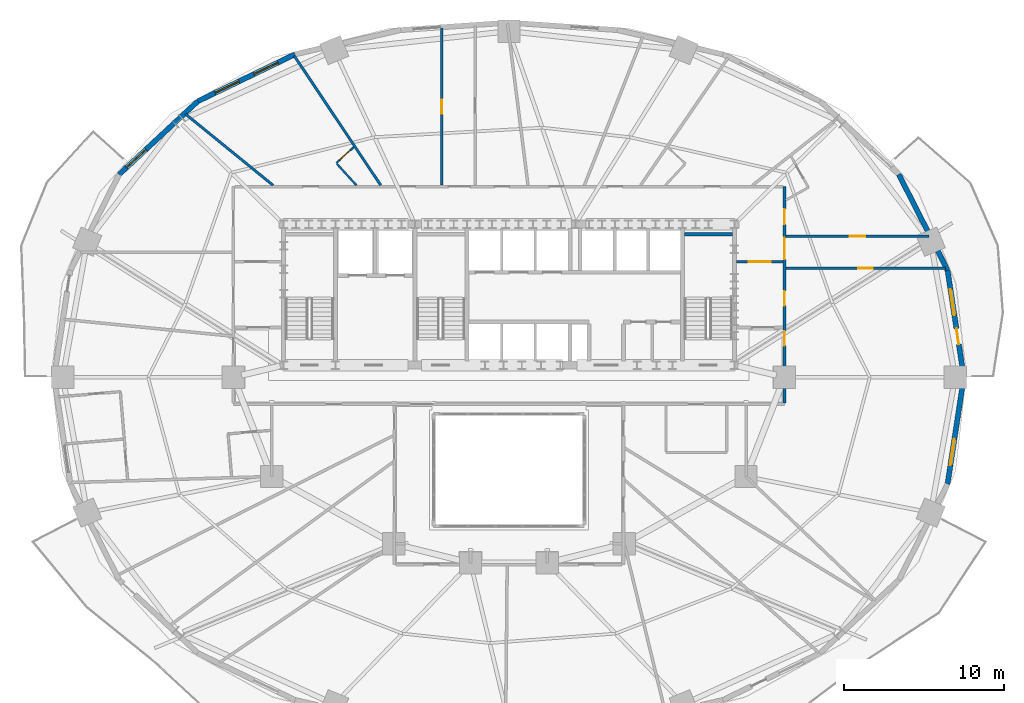
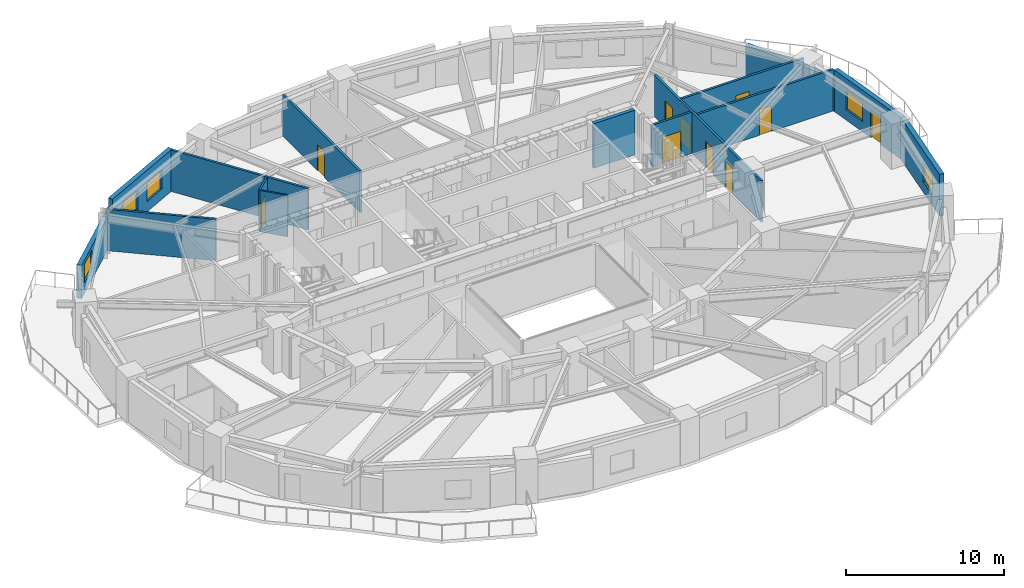
# One storey, part 10 of 15: 15 walls, 10 doors, 5 windows, 15 openings.
"""IFC4 building model written with IfcOpenShell, lengths in metres."""

from ifc_helpers import new_model, si_unit, direction, frame, frame_2d, origin, place, context, subcontext, project, spatial, rectangle, extrude, material, layer, layer_set, type_object, element, fill, save


model = new_model("IFC4")

# Units and contexts
model_context = context("Model", 3, precision=1e-05, world=origin(), true_north=direction((0.0, 1.0)))
body_context = subcontext(model_context, "Body", "Model", "MODEL_VIEW")
ifc_project = project(units=[si_unit("LENGTHUNIT", "METRE"), si_unit("AREAUNIT", "SQUARE_METRE"), si_unit("VOLUMEUNIT", "CUBIC_METRE"), si_unit("PLANEANGLEUNIT", "RADIAN"), si_unit("MASSUNIT", "GRAM", prefix="KILO")], contexts=[model_context])

# Site, building, storey
site_placement = place(None, origin())
site = spatial("IfcSite", under=ifc_project, at=site_placement, CompositionType="ELEMENT")
building_placement = place(site_placement, origin())
building = spatial("IfcBuilding", under=site, at=building_placement, Name="Haldorwick Loom Tower", CompositionType="ELEMENT")
storey_placement = place(building_placement, frame((0.0, 0.0, 92.14990234375)))
storey = spatial("IfcBuildingStorey", under=building, at=storey_placement, Name="L24", CompositionType="ELEMENT", Elevation=92.14990234375)

# Wall, openings, door, window
ifc_material_1 = material(Name="Pressed Clay Face Brick and Insulated Masonry Backup Assembly", Category="masonry")
ifc_layer_1 = layer(ifc_material_1, 0.320068359375, Name="Pressed Clay Face Brick and Insulated Masonry Backup Assembly", Category="masonry")
ifc_layer_set_1 = layer_set([ifc_layer_1], Name="Pressed Clay Face Brick and Insulated Masonry Backup Assembly")
wall_type_1 = type_object("IfcWallType", Name="ARC-WL-EXT320", PredefinedType="STANDARD", material=ifc_layer_set_1)
wall_1_placement = place(storey_placement, frame((64.397705078125, 26.0, 0.0), z_axis=(0.0, 0.0, 1.0), x_axis=(-0.150633288003, 0.988589708901, 0.0)))
wall_1 = element("IfcWall", 1, at=wall_1_placement, inside=storey, type_object=wall_type_1, Name="L24 Brick Pier and Spandrel Wall 1", PredefinedType="STANDARD", context=body_context, shape_type="SweptSolid", body=[
    extrude(rectangle(XDim=6.752197265625, YDim=0.320068359375, at=frame_2d((3.3759765625, 0.0))), origin(), (0.0, 0.0, 1.0), 3.210205078125),
])
opening_1_placement = place(wall_1_placement, frame((2.070556640625, 0.0, 0.0)))
opening_1 = element("IfcOpeningElement", 2, at=opening_1_placement, cuts=wall_1, Name="Opening D-BL10", PredefinedType="OPENING", context=body_context, shape_type="SweptSolid", body=[
    extrude(rectangle(XDim=1.0, YDim=2.0400390625, at=frame_2d((0.5, 1.02001953125))), frame((0.0, 0.169921875, 0.0), z_axis=(0.0, -1.0, 0.0), x_axis=(1.0, 0.0, 0.0)), (0.0, 0.0, 1.0), 0.340087890625),
])
opening_2_placement = place(wall_1_placement, frame((3.9013671875, 0.0, 0.800048828125)))
opening_2 = element("IfcOpeningElement", 3, at=opening_2_placement, cuts=wall_1, Name="Opening W-01B", PredefinedType="OPENING", context=body_context, shape_type="SweptSolid", body=[
    extrude(rectangle(XDim=1.64990234375, YDim=1.449951171875, at=frame_2d((0.824951171875, 0.72509765625))), frame((0.0, 0.169921875, 0.0), z_axis=(0.0, -1.0, 0.0), x_axis=(1.0, 0.0, 0.0)), (0.0, 0.0, 1.0), 0.340087890625),
])
ifc_material_2 = material(Name="Thermally Broken Anodized Aluminium Curtain Wall Framing", Category="aluminium")
door_type_1 = type_object("IfcDoorType", Name="ARC-DR-BAL100", OperationType="NOTDEFINED", PredefinedType="DOOR", material=ifc_material_2)
door_1_placement = place(opening_1_placement, origin())
door_1 = element("IfcDoor", 4, at=door_1_placement, inside=storey, type_object=door_type_1, Name="L24 Outdoor Terrace Door SLB-L24-BAL_ENE", OperationType="SINGLE_SWING_RIGHT", OverallHeight=2.0400390625, OverallWidth=1.0, PredefinedType="DOOR", context=body_context, shape_type="SweptSolid", body=[
    extrude(rectangle(XDim=1.0, YDim=2.0400390625, at=frame_2d((0.5, 1.02001953125))), frame((0.0, 0.02490234375, 0.0), z_axis=(0.0, -1.0, 0.0), x_axis=(1.0, 0.0, 0.0)), (0.0, 0.0, 1.0), 0.050048828125),
])
fill(opening_1, door_1)
ifc_material_3 = material(Name="Triple-Glazed Low-E Argon Insulated Glazing Unit", Category="glass")
window_type = type_object("IfcWindowType", Name="ARC-WIN-W165", PartitioningType="SINGLE_PANEL", PredefinedType="WINDOW", material=ifc_material_3)
window_1_placement = place(opening_2_placement, origin())
window_1 = element("IfcWindow", 5, at=window_1_placement, inside=storey, type_object=window_type, Name="L24 Deep-Set Zone 7A Window 1", OverallHeight=1.449951171875, OverallWidth=1.64990234375, PartitioningType="SINGLE_PANEL", PredefinedType="WINDOW", context=body_context, shape_type="SweptSolid", body=[
    extrude(rectangle(XDim=1.64990234375, YDim=1.449951171875, at=frame_2d((0.824951171875, 0.72509765625))), frame((0.0, 0.030029296875, 0.0), z_axis=(0.0, -1.0, 0.0), x_axis=(1.0, 0.0, 0.0)), (0.0, 0.0, 1.0), 0.06005859375),
])
fill(opening_2, window_1)

# Wall
wall_2_placement = place(storey_placement, frame((63.380615234375, 32.675048828125, 0.0), z_axis=(0.0, 0.0, 1.0), x_axis=(-0.453374078001, 0.89132033826, 0.0)))
element("IfcWall", 6, at=wall_2_placement, inside=storey, type_object=wall_type_1, Name="L24 Brick Pier and Spandrel Wall 2", PredefinedType="STANDARD", context=body_context, shape_type="SweptSolid", body=[
    extrude(rectangle(XDim=6.709716796875, YDim=0.320068359375, at=frame_2d((3.35498046875, 0.0))), origin(), (0.0, 0.0, 1.0), 2.569091796875),
])

# Wall, openings, windows
wall_3_placement = place(storey_placement, frame((22.647216796875, 46.158447265625, 0.0), z_axis=(0.0, 0.0, 1.0), x_axis=(-0.900510094661, -0.434835106004, 0.0)))
wall_3 = element("IfcWall", 7, at=wall_3_placement, inside=storey, type_object=wall_type_1, Name="L24 Brick Pier and Spandrel Wall 9", PredefinedType="STANDARD", context=body_context, shape_type="SweptSolid", body=[
    extrude(rectangle(XDim=6.744873046875, YDim=0.320068359375, at=frame_2d((3.37255859375, 0.0))), origin(), (0.0, 0.0, 1.0), 3.210205078125),
])
opening_3_placement = place(wall_3_placement, frame((1.198486328125, 0.0, 0.800048828125)))
opening_3 = element("IfcOpeningElement", 8, at=opening_3_placement, cuts=wall_3, Name="Opening W-01B", PredefinedType="OPENING", context=body_context, shape_type="SweptSolid", body=[
    extrude(rectangle(XDim=1.64990234375, YDim=1.449951171875, at=frame_2d((0.824951171875, 0.72509765625))), frame((0.0, 0.169921875, 0.0), z_axis=(0.0, -1.0, 0.0), x_axis=(1.0, 0.0, 0.0)), (0.0, 0.0, 1.0), 0.340087890625),
])
opening_4_placement = place(wall_3_placement, frame((3.896484375, 0.0, 0.800048828125)))
opening_4 = element("IfcOpeningElement", 9, at=opening_4_placement, cuts=wall_3, Name="Opening W-01B", PredefinedType="OPENING", context=body_context, shape_type="SweptSolid", body=[
    extrude(rectangle(XDim=1.64990234375, YDim=1.449951171875, at=frame_2d((0.824951171875, 0.72509765625))), frame((0.0, 0.169921875, 0.0), z_axis=(0.0, -1.0, 0.0), x_axis=(1.0, 0.0, 0.0)), (0.0, 0.0, 1.0), 0.340087890625),
])
window_2_placement = place(opening_3_placement, origin())
window_2 = element("IfcWindow", 10, at=window_2_placement, inside=storey, type_object=window_type, Name="L24 Deep-Set Zone 7A Window 9", OverallHeight=1.449951171875, OverallWidth=1.64990234375, PartitioningType="SINGLE_PANEL", PredefinedType="WINDOW", context=body_context, shape_type="SweptSolid", body=[
    extrude(rectangle(XDim=1.64990234375, YDim=1.449951171875, at=frame_2d((0.824951171875, 0.72509765625))), frame((0.0, 0.030029296875, 0.0), z_axis=(0.0, -1.0, 0.0), x_axis=(1.0, 0.0, 0.0)), (0.0, 0.0, 1.0), 0.06005859375),
])
fill(opening_3, window_2)
window_3_placement = place(opening_4_placement, origin())
window_3 = element("IfcWindow", 11, at=window_3_placement, inside=storey, type_object=window_type, Name="L24 Deep-Set Zone 7A Window 9", OverallHeight=1.449951171875, OverallWidth=1.64990234375, PartitioningType="SINGLE_PANEL", PredefinedType="WINDOW", context=body_context, shape_type="SweptSolid", body=[
    extrude(rectangle(XDim=1.64990234375, YDim=1.449951171875, at=frame_2d((0.824951171875, 0.72509765625))), frame((0.0, 0.030029296875, 0.0), z_axis=(0.0, -1.0, 0.0), x_axis=(1.0, 0.0, 0.0)), (0.0, 0.0, 1.0), 0.06005859375),
])
fill(opening_4, window_3)

# Wall, opening, window
wall_4_placement = place(storey_placement, frame((16.573486328125, 43.2255859375, 0.0), z_axis=(0.0, 0.0, 1.0), x_axis=(-0.732137360086, -0.681157020052, 0.0)))
wall_4 = element("IfcWall", 12, at=wall_4_placement, inside=storey, type_object=wall_type_1, Name="L24 Brick Pier and Spandrel Wall 10", PredefinedType="STANDARD", context=body_context, shape_type="SweptSolid", body=[
    extrude(rectangle(XDim=6.709228515625, YDim=0.320068359375, at=frame_2d((3.3544921875, 0.0))), origin(), (0.0, 0.0, 1.0), 2.569091796875),
])
opening_5_placement = place(wall_4_placement, frame((4.41943359375, 0.0, 0.800048828125)))
opening_5 = element("IfcOpeningElement", 13, at=opening_5_placement, cuts=wall_4, Name="Opening W-01B", PredefinedType="OPENING", context=body_context, shape_type="SweptSolid", body=[
    extrude(rectangle(XDim=1.64990234375, YDim=1.449951171875, at=frame_2d((0.824951171875, 0.72509765625))), frame((0.0, 0.169921875, 0.0), z_axis=(0.0, -1.0, 0.0), x_axis=(1.0, 0.0, 0.0)), (0.0, 0.0, 1.0), 0.340087890625),
])
window_4_placement = place(opening_5_placement, origin())
window_4 = element("IfcWindow", 14, at=window_4_placement, inside=storey, type_object=window_type, Name="L24 Deep-Set Zone 7A Window 10", OverallHeight=1.449951171875, OverallWidth=1.64990234375, PartitioningType="SINGLE_PANEL", PredefinedType="WINDOW", context=body_context, shape_type="SweptSolid", body=[
    extrude(rectangle(XDim=1.64990234375, YDim=1.449951171875, at=frame_2d((0.824951171875, 0.72509765625))), frame((0.0, 0.030029296875, 0.0), z_axis=(0.0, -1.0, 0.0), x_axis=(1.0, 0.0, 0.0)), (0.0, 0.0, 1.0), 0.06005859375),
])
fill(opening_5, window_4)

wall_5_placement = place(storey_placement, frame((63.380615234375, 19.324951171875, 0.0), z_axis=(0.0, 0.0, 1.0), x_axis=(0.150633288003, 0.988589708901, 0.0)))
wall_5 = element("IfcWall", 15, at=wall_5_placement, inside=storey, type_object=wall_type_1, Name="L24 Brick Pier and Spandrel Wall 24", PredefinedType="STANDARD", context=body_context, shape_type="SweptSolid", body=[
    extrude(rectangle(XDim=6.752197265625, YDim=0.320068359375, at=frame_2d((3.3759765625, 0.0))), origin(), (0.0, 0.0, 1.0), 3.210205078125),
])
opening_6_placement = place(wall_5_placement, frame((1.20068359375, 0.0, 0.800048828125)))
opening_6 = element("IfcOpeningElement", 16, at=opening_6_placement, cuts=wall_5, Name="Opening W-01B", PredefinedType="OPENING", context=body_context, shape_type="SweptSolid", body=[
    extrude(rectangle(XDim=1.64990234375, YDim=1.449951171875, at=frame_2d((0.824951171875, 0.72509765625))), frame((0.0, 0.169921875, 0.0), z_axis=(0.0, -1.0, 0.0), x_axis=(1.0, 0.0, 0.0)), (0.0, 0.0, 1.0), 0.340087890625),
])
window_5_placement = place(opening_6_placement, origin())
window_5 = element("IfcWindow", 17, at=window_5_placement, inside=storey, type_object=window_type, Name="L24 Deep-Set Zone 7A Window 24", OverallHeight=1.449951171875, OverallWidth=1.64990234375, PartitioningType="SINGLE_PANEL", PredefinedType="WINDOW", context=body_context, shape_type="SweptSolid", body=[
    extrude(rectangle(XDim=1.64990234375, YDim=1.449951171875, at=frame_2d((0.824951171875, 0.72509765625))), frame((0.0, 0.030029296875, 0.0), z_axis=(0.0, -1.0, 0.0), x_axis=(1.0, 0.0, 0.0)), (0.0, 0.0, 1.0), 0.06005859375),
])
fill(opening_6, window_5)

# Wall, openings, doors
ifc_material_4 = material(Name="Fire-Rated Type X Gypsum Stud Assembly EI 60")
ifc_layer_2 = layer(ifc_material_4, 0.159912109375, Name="Fire-Rated Type X Gypsum Stud Assembly EI 60")
ifc_layer_set_2 = layer_set([ifc_layer_2], Name="Fire-Rated Type X Gypsum Stud Assembly EI 60")
wall_type_2 = type_object("IfcWallType", Name="ARC-WL-FIRE160", PredefinedType="PARTITIONING", material=ifc_layer_set_2)
wall_6_placement = place(storey_placement, frame((53.199951171875, 24.383056640625, 0.0), z_axis=(0.0, 0.0, 1.0), x_axis=(0.0, 1.0, 0.0)))
wall_6 = element("IfcWall", 18, at=wall_6_placement, inside=storey, type_object=wall_type_2, Name="L24 Residential Fire Partition L24-CR-E0", PredefinedType="PARTITIONING", context=body_context, shape_type="SweptSolid", body=[
    extrude(rectangle(XDim=13.516845703125, YDim=0.159912109375, at=frame_2d((6.75830078125, 0.0))), origin(), (0.0, 0.0, 1.0), 3.195068359375),
])
opening_7_placement = place(wall_6_placement, frame((8.964111328125, 0.0, 0.0)))
opening_7 = element("IfcOpeningElement", 19, at=opening_7_placement, cuts=wall_6, Name="Opening D-CR15", PredefinedType="OPENING", context=body_context, shape_type="SweptSolid", body=[
    extrude(rectangle(XDim=1.35009765625, YDim=2.0, at=frame_2d((0.675048828125, 1.0))), frame((0.0, 0.08984375, 0.0), z_axis=(0.0, -1.0, 0.0), x_axis=(1.0, 0.0, 0.0)), (0.0, 0.0, 1.0), 0.179931640625),
])
opening_8_placement = place(wall_6_placement, frame((3.59130859375, 0.0, 0.0)))
opening_8 = element("IfcOpeningElement", 20, at=opening_8_placement, cuts=wall_6, Name="Opening D-FD60A", PredefinedType="OPENING", context=body_context, shape_type="SweptSolid", body=[
    extrude(rectangle(XDim=0.89990234375, YDim=2.0, at=frame_2d((0.449951171875, 1.0))), frame((0.0, 0.08984375, 0.0), z_axis=(0.0, -1.0, 0.0), x_axis=(1.0, 0.0, 0.0)), (0.0, 0.0, 1.0), 0.179931640625),
])
opening_9_placement = place(wall_6_placement, frame((6.0869140625, 0.0, 0.0)))
opening_9 = element("IfcOpeningElement", 21, at=opening_9_placement, cuts=wall_6, Name="Opening D-FD60A", PredefinedType="OPENING", context=body_context, shape_type="SweptSolid", body=[
    extrude(rectangle(XDim=0.89990234375, YDim=2.0, at=frame_2d((0.449951171875, 1.0))), frame((0.0, 0.08984375, 0.0), z_axis=(0.0, -1.0, 0.0), x_axis=(1.0, 0.0, 0.0)), (0.0, 0.0, 1.0), 0.179931640625),
])
opening_10_placement = place(wall_6_placement, frame((11.158447265625, 0.0, 0.0)))
opening_10 = element("IfcOpeningElement", 22, at=opening_10_placement, cuts=wall_6, Name="Opening D-FL95", PredefinedType="OPENING", context=body_context, shape_type="SweptSolid", body=[
    extrude(rectangle(XDim=0.949951171875, YDim=2.0400390625, at=frame_2d((0.47509765625, 1.02001953125))), frame((0.0, 0.08984375, 0.0), z_axis=(0.0, -1.0, 0.0), x_axis=(1.0, 0.0, 0.0)), (0.0, 0.0, 1.0), 0.179931640625),
])
ifc_material_5 = material(Name="Thermally Broken Anodized Aluminium and Tempered Glass", Category="aluminium")
door_type_2 = type_object("IfcDoorType", Name="ARC-DR-COR150", OperationType="NOTDEFINED", PredefinedType="DOOR", material=ifc_material_5)
door_2_placement = place(opening_7_placement, origin())
door_2 = element("IfcDoor", 23, at=door_2_placement, inside=storey, type_object=door_type_2, Name="L24 L24 North Residential Corridor to L24 East Daylight Corridor Door", OperationType="DOUBLE_DOOR_SINGLE_SWING", OverallHeight=2.0, OverallWidth=1.35009765625, PredefinedType="DOOR", context=body_context, shape_type="SweptSolid", body=[
    extrude(rectangle(XDim=1.35009765625, YDim=2.0, at=frame_2d((0.675048828125, 1.0))), frame((0.0, 0.02490234375, 0.0), z_axis=(0.0, -1.0, 0.0), x_axis=(1.0, 0.0, 0.0)), (0.0, 0.0, 1.0), 0.050048828125),
])
fill(opening_7, door_2)
ifc_material_6 = material(Name="Hollow Steel Fire Door Assembly", Category="steel")
door_type_3 = type_object("IfcDoorType", Name="ARC-DR-FD60-90", OperationType="NOTDEFINED", PredefinedType="DOOR", material=ifc_material_6)
door_3_placement = place(opening_8_placement, origin())
door_3 = element("IfcDoor", 24, at=door_3_placement, inside=storey, type_object=door_type_3, Name="L24 L24 Central Residential Corridor to Community Teaching Classroom 4 D", OperationType="SINGLE_SWING_RIGHT", OverallHeight=2.0, OverallWidth=0.89990234375, PredefinedType="DOOR", context=body_context, shape_type="SweptSolid", body=[
    extrude(rectangle(XDim=0.89990234375, YDim=2.0, at=frame_2d((0.449951171875, 1.0))), frame((0.0, 0.02490234375, 0.0), z_axis=(0.0, -1.0, 0.0), x_axis=(1.0, 0.0, 0.0)), (0.0, 0.0, 1.0), 0.050048828125),
])
fill(opening_8, door_3)
door_4_placement = place(opening_9_placement, origin())
door_4 = element("IfcDoor", 25, at=door_4_placement, inside=storey, type_object=door_type_3, Name="L24 L24 East Residential Corridor to Community Teaching Classroom 4 Door", OperationType="SINGLE_SWING_LEFT", OverallHeight=2.0, OverallWidth=0.89990234375, PredefinedType="DOOR", context=body_context, shape_type="SweptSolid", body=[
    extrude(rectangle(XDim=0.89990234375, YDim=2.0, at=frame_2d((0.449951171875, 1.0))), frame((0.0, 0.02490234375, 0.0), z_axis=(0.0, -1.0, 0.0), x_axis=(1.0, 0.0, 0.0)), (0.0, 0.0, 1.0), 0.050048828125),
])
fill(opening_9, door_4)
ifc_material_7 = material(Name="Solid Core Birch Architectural Door")
door_type_4 = type_object("IfcDoorType", Name="ARC-DR-FLAT95", OperationType="NOTDEFINED", PredefinedType="DOOR", material=ifc_material_7)
door_5_placement = place(opening_10_placement, origin())
door_5 = element("IfcDoor", 26, at=door_5_placement, inside=storey, type_object=door_type_4, Name="L24 L24 North Residential Corridor to Unit 24C Kitchen and Studio Living", OperationType="SINGLE_SWING_RIGHT", OverallHeight=2.0400390625, OverallWidth=0.949951171875, PredefinedType="DOOR", context=body_context, shape_type="SweptSolid", body=[
    extrude(rectangle(XDim=0.949951171875, YDim=2.0400390625, at=frame_2d((0.47509765625, 1.02001953125))), frame((0.0, 0.02490234375, 0.0), z_axis=(0.0, -1.0, 0.0), x_axis=(1.0, 0.0, 0.0)), (0.0, 0.0, 1.0), 0.050048828125),
])
fill(opening_10, door_5)

# Wall, opening, door
wall_7_placement = place(storey_placement, frame((50.193115234375, 33.199951171875, 0.0), z_axis=(0.0, 0.0, 1.0), x_axis=(1.0, 0.0, 0.0)))
wall_7 = element("IfcWall", 27, at=wall_7_placement, inside=storey, type_object=wall_type_2, Name="L24 Residential Fire Partition L24-CR-ENJ", PredefinedType="PARTITIONING", context=body_context, shape_type="SweptSolid", body=[
    extrude(rectangle(XDim=2.923828125, YDim=0.159912109375, at=frame_2d((1.4619140625, 0.0))), origin(), (0.0, 0.0, 1.0), 3.195068359375),
])
opening_11_placement = place(wall_7_placement, frame((0.787109375, 0.0, 0.0)))
opening_11 = element("IfcOpeningElement", 28, at=opening_11_placement, cuts=wall_7, Name="Opening D-CR15", PredefinedType="OPENING", context=body_context, shape_type="SweptSolid", body=[
    extrude(rectangle(XDim=1.35009765625, YDim=2.0, at=frame_2d((0.675048828125, 1.0))), frame((0.0, 0.08984375, 0.0), z_axis=(0.0, -1.0, 0.0), x_axis=(1.0, 0.0, 0.0)), (0.0, 0.0, 1.0), 0.179931640625),
])
door_6_placement = place(opening_11_placement, origin())
door_6 = element("IfcDoor", 29, at=door_6_placement, inside=storey, type_object=door_type_2, Name="L24 L24 North Residential Corridor to L24 East Residential Corridor Door", OperationType="DOUBLE_DOOR_SINGLE_SWING", OverallHeight=2.0, OverallWidth=1.35009765625, PredefinedType="DOOR", context=body_context, shape_type="SweptSolid", body=[
    extrude(rectangle(XDim=1.35009765625, YDim=2.0, at=frame_2d((0.675048828125, 1.0))), frame((0.0, 0.02490234375, 0.0), z_axis=(0.0, -1.0, 0.0), x_axis=(1.0, 0.0, 0.0)), (0.0, 0.0, 1.0), 0.050048828125),
])
fill(opening_11, door_6)

wall_8_placement = place(storey_placement, frame((53.282958984375, 32.800048828125, 0.0), z_axis=(0.0, 0.0, 1.0), x_axis=(1.0, 0.0, 0.0)))
wall_8 = element("IfcWall", 30, at=wall_8_placement, inside=storey, type_object=wall_type_2, Name="L24 Residential Fire Partition L24-CR-GE0", PredefinedType="PARTITIONING", context=body_context, shape_type="SweptSolid", body=[
    extrude(rectangle(XDim=9.9609375, YDim=0.159912109375, at=frame_2d((4.98046875, 0.0))), origin(), (0.0, 0.0, 1.0), 3.195068359375),
])
opening_12_placement = place(wall_8_placement, frame((4.530517578125, 0.0, 0.0)))
opening_12 = element("IfcOpeningElement", 31, at=opening_12_placement, cuts=wall_8, Name="Opening D-FD60A", PredefinedType="OPENING", context=body_context, shape_type="SweptSolid", body=[
    extrude(rectangle(XDim=0.89990234375, YDim=2.0, at=frame_2d((0.449951171875, 1.0))), frame((0.0, 0.08984375, 0.0), z_axis=(0.0, -1.0, 0.0), x_axis=(1.0, 0.0, 0.0)), (0.0, 0.0, 1.0), 0.179931640625),
])
door_7_placement = place(opening_12_placement, origin())
door_7 = element("IfcDoor", 32, at=door_7_placement, inside=storey, type_object=door_type_3, Name="L24 L24 East Daylight Corridor to Community Teaching Classroom 4 Door", OperationType="SINGLE_SWING_LEFT", OverallHeight=2.0, OverallWidth=0.89990234375, PredefinedType="DOOR", context=body_context, shape_type="SweptSolid", body=[
    extrude(rectangle(XDim=0.89990234375, YDim=2.0, at=frame_2d((0.449951171875, 1.0))), frame((0.0, 0.02490234375, 0.0), z_axis=(0.0, -1.0, 0.0), x_axis=(1.0, 0.0, 0.0)), (0.0, 0.0, 1.0), 0.050048828125),
])
fill(opening_12, door_7)

wall_9_placement = place(storey_placement, frame((53.282958984375, 34.800048828125, 0.0), z_axis=(0.0, 0.0, 1.0), x_axis=(1.0, 0.0, 0.0)))
wall_9 = element("IfcWall", 33, at=wall_9_placement, inside=storey, type_object=wall_type_2, Name="L24 Residential Fire Partition L24-CR-GE1", PredefinedType="PARTITIONING", context=body_context, shape_type="SweptSolid", body=[
    extrude(rectangle(XDim=8.94384765625, YDim=0.159912109375, at=frame_2d((4.471923828125, 0.0))), origin(), (0.0, 0.0, 1.0), 3.195068359375),
])
opening_13_placement = place(wall_9_placement, frame((3.996826171875, 0.0, 0.0)))
opening_13 = element("IfcOpeningElement", 34, at=opening_13_placement, cuts=wall_9, Name="Opening D-FL95", PredefinedType="OPENING", context=body_context, shape_type="SweptSolid", body=[
    extrude(rectangle(XDim=0.949951171875, YDim=2.0400390625, at=frame_2d((0.47509765625, 1.02001953125))), frame((0.0, 0.08984375, 0.0), z_axis=(0.0, -1.0, 0.0), x_axis=(1.0, 0.0, 0.0)), (0.0, 0.0, 1.0), 0.179931640625),
])
door_8_placement = place(opening_13_placement, frame((0.949951171875, 0.0, 0.0), z_axis=(0.0, 0.0, 1.0), x_axis=(-1.0, 0.0, 0.0)))
door_8 = element("IfcDoor", 35, at=door_8_placement, inside=storey, type_object=door_type_4, Name="L24 Unit 24C Kitchen and Studio Living Room to L24 East Daylight Corrido", OperationType="SINGLE_SWING_RIGHT", OverallHeight=2.0400390625, OverallWidth=0.949951171875, PredefinedType="DOOR", context=body_context, shape_type="SweptSolid", body=[
    extrude(rectangle(XDim=0.949951171875, YDim=2.0400390625, at=frame_2d((0.47509765625, 1.02001953125))), frame((0.0, 0.02490234375, 0.0), z_axis=(0.0, -1.0, 0.0), x_axis=(1.0, 0.0, 0.0)), (0.0, 0.0, 1.0), 0.050048828125),
])
fill(opening_13, door_8)

wall_10_placement = place(storey_placement, frame((31.800048828125, 37.98291015625, 0.0), z_axis=(0.0, 0.0, 1.0), x_axis=(0.0, 1.0, 0.0)))
wall_10 = element("IfcWall", 36, at=wall_10_placement, inside=storey, type_object=wall_type_2, Name="L24 Residential Fire Partition L24-CR-NG0", PredefinedType="PARTITIONING", context=body_context, shape_type="SweptSolid", body=[
    extrude(rectangle(XDim=9.802001953125, YDim=0.159912109375, at=frame_2d((4.90087890625, 0.0))), origin(), (0.0, 0.0, 1.0), 3.195068359375),
])
opening_14_placement = place(wall_10_placement, frame((4.450927734375, 0.0, 0.0)))
opening_14 = element("IfcOpeningElement", 37, at=opening_14_placement, cuts=wall_10, Name="Opening D-FD60A", PredefinedType="OPENING", context=body_context, shape_type="SweptSolid", body=[
    extrude(rectangle(XDim=0.89990234375, YDim=2.0, at=frame_2d((0.449951171875, 1.0))), frame((0.0, 0.08984375, 0.0), z_axis=(0.0, -1.0, 0.0), x_axis=(1.0, 0.0, 0.0)), (0.0, 0.0, 1.0), 0.179931640625),
])
door_9_placement = place(opening_14_placement, frame((0.89990234375, 0.0, 0.0), z_axis=(0.0, 0.0, 1.0), x_axis=(-1.0, 0.0, 0.0)))
door_9 = element("IfcDoor", 38, at=door_9_placement, inside=storey, type_object=door_type_3, Name="L24 Community Teaching Classroom 2 to L24 North Daylight Corridor Door", OperationType="SINGLE_SWING_LEFT", OverallHeight=2.0, OverallWidth=0.89990234375, PredefinedType="DOOR", context=body_context, shape_type="SweptSolid", body=[
    extrude(rectangle(XDim=0.89990234375, YDim=2.0, at=frame_2d((0.449951171875, 1.0))), frame((0.0, 0.02490234375, 0.0), z_axis=(0.0, -1.0, 0.0), x_axis=(1.0, 0.0, 0.0)), (0.0, 0.0, 1.0), 0.050048828125),
])
fill(opening_14, door_9)

# Walls
wall_11_placement = place(storey_placement, frame((27.993408203125, 37.98291015625, 0.0), z_axis=(0.0, 0.0, 1.0), x_axis=(-0.555581299847, 0.831462217578, 0.0)))
element("IfcWall", 39, at=wall_11_placement, inside=storey, type_object=wall_type_2, Name="L24 Suite Split Wall", PredefinedType="PARTITIONING", context=body_context, shape_type="SweptSolid", body=[
    extrude(rectangle(XDim=9.7158203125, YDim=0.159912109375, at=frame_2d((4.85791015625, 0.0))), origin(), (0.0, 0.0, 1.0), 3.195068359375),
])
wall_12_placement = place(storey_placement, frame((21.268798828125, 37.98291015625, 0.0), z_axis=(0.0, 0.0, 1.0), x_axis=(-0.775746787381, 0.631044310543, 0.0)))
element("IfcWall", 40, at=wall_12_placement, inside=storey, type_object=wall_type_2, Name="L24 Suite Split Wall", PredefinedType="PARTITIONING", context=body_context, shape_type="SweptSolid", body=[
    extrude(rectangle(XDim=7.0390625, YDim=0.159912109375, at=frame_2d((3.51953125, 0.0))), origin(), (0.0, 0.0, 1.0), 3.195068359375),
])

# Wall, opening, door
ifc_material_8 = material(Name="Acoustic Gypsum Stud Assembly STC 55")
ifc_layer_3 = layer(ifc_material_8, 0.1201171875, Name="Acoustic Gypsum Stud Assembly STC 55")
ifc_layer_set_3 = layer_set([ifc_layer_3], Name="Acoustic Gypsum Stud Assembly STC 55")
wall_type_3 = type_object("IfcWallType", Name="ARC-WL-PART120", PredefinedType="PARTITIONING", material=ifc_layer_set_3)
wall_13_placement = place(storey_placement, frame((26.306640625, 40.35791015625, 0.0), z_axis=(0.0, 0.0, 1.0), x_axis=(-0.7388396547, -0.673881268951, 0.0)))
wall_13 = element("IfcWall", 41, at=wall_13_placement, inside=storey, type_object=wall_type_3, Name="L24 Unit 24J Interior Partition", PredefinedType="PARTITIONING", context=body_context, shape_type="SweptSolid", body=[
    extrude(rectangle(XDim=1.47705078125, YDim=0.1201171875, at=frame_2d((0.738525390625, 0.0))), origin(), (0.0, 0.0, 1.0), 3.195068359375),
])
opening_15_placement = place(wall_13_placement, frame((0.298583984375, 0.0, 0.0)))
opening_15 = element("IfcOpeningElement", 42, at=opening_15_placement, cuts=wall_13, Name="Opening D-BT88", PredefinedType="OPENING", context=body_context, shape_type="SweptSolid", body=[
    extrude(rectangle(XDim=0.8798828125, YDim=2.02001953125, at=frame_2d((0.43994140625, 1.010009765625))), frame((0.0, 0.070068359375, 0.0), z_axis=(0.0, -1.0, 0.0), x_axis=(1.0, 0.0, 0.0)), (0.0, 0.0, 1.0), 0.14013671875),
])
door_type_5 = type_object("IfcDoorType", Name="ARC-DR-BATH88", OperationType="NOTDEFINED", PredefinedType="DOOR", material=ifc_material_7)
door_10_placement = place(opening_15_placement, origin())
door_10 = element("IfcDoor", 43, at=door_10_placement, inside=storey, type_object=door_type_5, Name="L24 Unit 24J Bathroom to Unit 24J Kitchen and Studio Living Room Door", OperationType="SINGLE_SWING_RIGHT", OverallHeight=2.02001953125, OverallWidth=0.8798828125, PredefinedType="DOOR", context=body_context, shape_type="SweptSolid", body=[
    extrude(rectangle(XDim=0.8798828125, YDim=2.02001953125, at=frame_2d((0.43994140625, 1.010009765625))), frame((0.0, 0.02490234375, 0.0), z_axis=(0.0, -1.0, 0.0), x_axis=(1.0, 0.0, 0.0)), (0.0, 0.0, 1.0), 0.050048828125),
])
fill(opening_15, door_10)

# Walls
wall_14_placement = place(storey_placement, frame((26.4736328125, 37.98291015625, 0.0), z_axis=(0.0, 0.0, 1.0), x_axis=(-0.673816873813, 0.738898383111, 0.0)))
element("IfcWall", 44, at=wall_14_placement, inside=storey, type_object=wall_type_3, Name="L24 Unit 24J Interior Partition", PredefinedType="PARTITIONING", context=body_context, shape_type="SweptSolid", body=[
    extrude(rectangle(XDim=1.804443359375, YDim=0.1201171875, at=frame_2d((0.90234375, 0.0))), origin(), (0.0, 0.0, 1.0), 3.195068359375),
])
ifc_material_9 = material(Name="Concrete C50 (50 MPa)", Category="concrete")
ifc_layer_4 = layer(ifc_material_9, 0.239990234375, Name="Concrete C50 (50 MPa)", Category="concrete")
ifc_layer_set_4 = layer_set([ifc_layer_4], Name="Concrete C50 (50 MPa)")
wall_type_4 = type_object("IfcWallType", Name="STR-WL-SHAFT240", PredefinedType="SHEAR", material=ifc_layer_set_4)
wall_15_placement = place(storey_placement, frame((46.952880859375, 34.919921875, 0.0), z_axis=(0.0, 0.0, 1.0), x_axis=(1.0, 0.0, 0.0)))
element("IfcWall", 45, at=wall_15_placement, inside=storey, type_object=wall_type_4, Name="L24 Core Shear Wall 4N", PredefinedType="SHEAR", context=body_context, shape_type="SweptSolid", body=[
    extrude(rectangle(XDim=2.994140625, YDim=0.239990234375, at=frame_2d((1.4970703125, 0.0))), origin(), (0.0, 0.0, 1.0), 3.4501953125),
])

save(model, "model.ifc")
